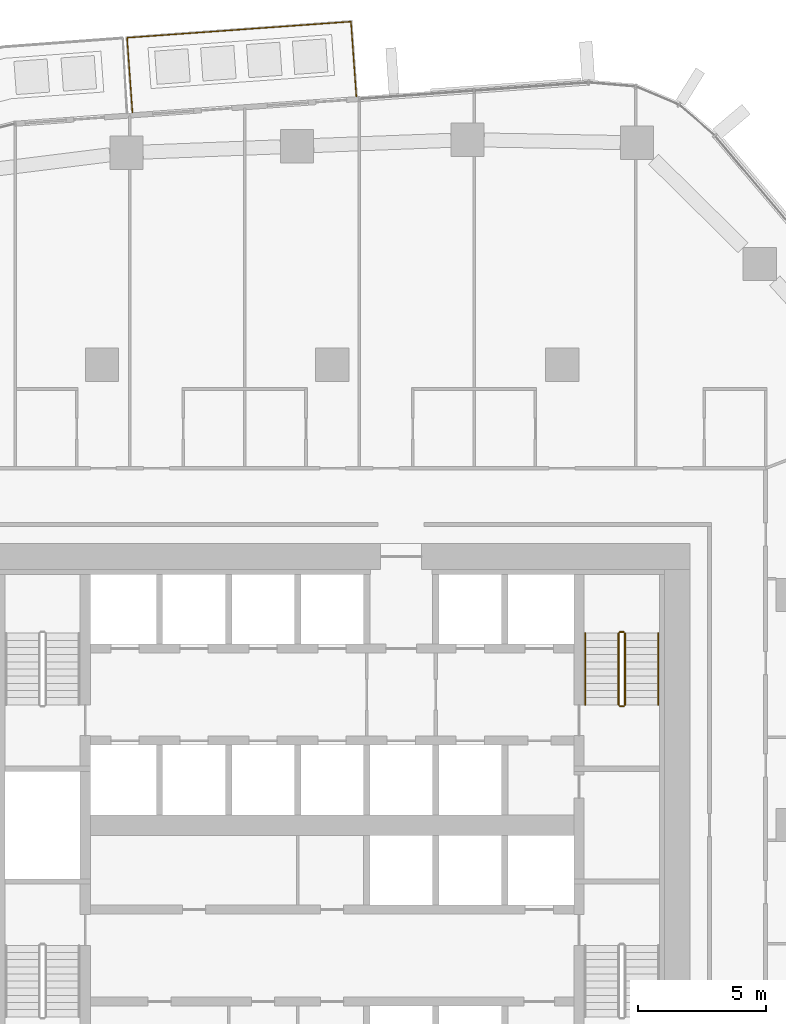
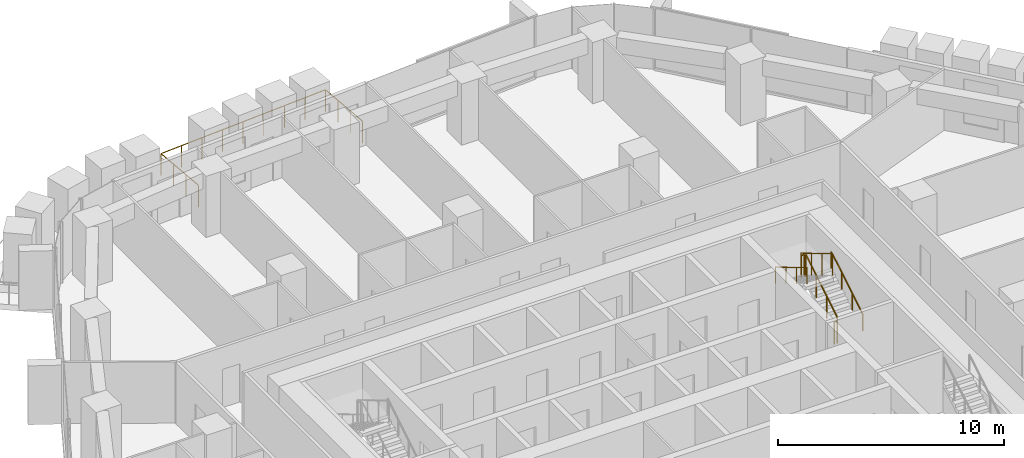
# One storey, part 23 of 24: 7 railings.
"""IFC4 building model written with IfcOpenShell, lengths in metres."""

from ifc_helpers import new_model, si_unit, direction, frame, origin, origin_2d, place, context, subcontext, project, spatial, circle, extrude, material, type_object, element, save


model = new_model("IFC4")

# Units and contexts
model_context = context("Model", 3, precision=1e-05, world=origin(), true_north=direction((0.0, 1.0)))
body_context = subcontext(model_context, "Body", "Model", "MODEL_VIEW")
ifc_project = project(units=[si_unit("LENGTHUNIT", "METRE"), si_unit("AREAUNIT", "SQUARE_METRE"), si_unit("VOLUMEUNIT", "CUBIC_METRE"), si_unit("PLANEANGLEUNIT", "RADIAN"), si_unit("MASSUNIT", "GRAM", prefix="KILO")], contexts=[model_context])

# Site, building, storey
site_placement = place(None, origin())
site = spatial("IfcSite", under=ifc_project, at=site_placement, CompositionType="ELEMENT")
building_placement = place(site_placement, origin())
building = spatial("IfcBuilding", under=site, at=building_placement, Name="Dongbaek Canopy Tower", CompositionType="ELEMENT")
storey_placement = place(building_placement, frame((0.0, 0.0, 110.0)))
storey = spatial("IfcBuildingStorey", under=building, at=storey_placement, Name="L23", CompositionType="ELEMENT", Elevation=110.0)

# Railings
ifc_material_1 = material(Name="Stainless steel", Category="steel")
railing_type_1 = type_object("IfcRailingType", Name="Balcony balustrade 1200", PredefinedType="BALUSTRADE", material=ifc_material_1)
railing_1_placement = place(storey_placement, frame((0.946044921875, 28.480712890625, 0.0)))
element("IfcRailing", 1, at=railing_1_placement, inside=storey, type_object=railing_type_1, Name="Balcony guard L23 2", PredefinedType="BALUSTRADE", context=body_context, shape_type="SweptSolid", body=[
    extrude(circle(Radius=0.02392578125, at=origin_2d()), frame((0.0, 0.0, 1.17578125), z_axis=(-0.071748667898, 0.997422743201, 0.0), x_axis=(-0.997422743201, -0.071748667898, 0.0)), (0.0, 0.0, 1.0), 2.93994140625),
    extrude(circle(Radius=0.02392578125, at=origin_2d()), frame((-0.2109375, 2.932373046875, 1.17578125), z_axis=(-0.997424550717, -0.071723536073, 0.0), x_axis=(0.071723536073, -0.997424550717, 0.0)), (0.0, 0.0, 1.0), 8.775390625),
    extrude(circle(Radius=0.02392578125, at=origin_2d()), frame((-8.963623046875, 2.302978515625, 1.17578125), z_axis=(0.071742725561, -0.99742317064, 0.0), x_axis=(0.99742317064, 0.071742725561, 0.0)), (0.0, 0.0, 1.0), 2.940185546875),
    extrude(circle(Radius=0.02099609375, at=origin_2d()), origin(), (0.0, 0.0, 1.0), 1.15185546875),
    extrude(circle(Radius=0.02099609375, at=origin_2d()), frame((-0.0703125, 0.9775390625, 0.0)), (0.0, 0.0, 1.0), 1.15185546875),
    extrude(circle(Radius=0.02099609375, at=origin_2d()), frame((-0.140625, 1.954833984375, 0.0)), (0.0, 0.0, 1.0), 1.15185546875),
    extrude(circle(Radius=0.02099609375, at=origin_2d()), frame((-0.2109375, 2.932373046875, 0.0)), (0.0, 0.0, 1.0), 1.15185546875),
    extrude(circle(Radius=0.02099609375, at=origin_2d()), frame((-1.304931640625, 2.853759765625, 0.0)), (0.0, 0.0, 1.0), 1.15185546875),
    extrude(circle(Radius=0.02099609375, at=origin_2d()), frame((-2.399169921875, 2.77490234375, 0.0)), (0.0, 0.0, 1.0), 1.15185546875),
    extrude(circle(Radius=0.02099609375, at=origin_2d()), frame((-3.4931640625, 2.6962890625, 0.0)), (0.0, 0.0, 1.0), 1.15185546875),
    extrude(circle(Radius=0.02099609375, at=origin_2d()), frame((-4.58740234375, 2.61767578125, 0.0)), (0.0, 0.0, 1.0), 1.15185546875),
    extrude(circle(Radius=0.02099609375, at=origin_2d()), frame((-5.681396484375, 2.5390625, 0.0)), (0.0, 0.0, 1.0), 1.15185546875),
    extrude(circle(Radius=0.02099609375, at=origin_2d()), frame((-6.775390625, 2.46044921875, 0.0)), (0.0, 0.0, 1.0), 1.15185546875),
    extrude(circle(Radius=0.02099609375, at=origin_2d()), frame((-7.86962890625, 2.381591796875, 0.0)), (0.0, 0.0, 1.0), 1.15185546875),
    extrude(circle(Radius=0.02099609375, at=origin_2d()), frame((-8.963623046875, 2.302978515625, 0.0)), (0.0, 0.0, 1.0), 1.15185546875),
    extrude(circle(Radius=0.02099609375, at=origin_2d()), frame((-8.893310546875, 1.325439453125, 0.0)), (0.0, 0.0, 1.0), 1.15185546875),
    extrude(circle(Radius=0.02099609375, at=origin_2d()), frame((-8.822998046875, 0.347900390625, 0.0)), (0.0, 0.0, 1.0), 1.15185546875),
    extrude(circle(Radius=0.02099609375, at=origin_2d()), frame((-8.752685546875, -0.629638671875, 0.0)), (0.0, 0.0, 1.0), 1.15185546875),
])
ifc_material_2 = material(Name="Stainless steel tube and balusters", Category="steel")
railing_type_2 = type_object("IfcRailingType", Name="Stair guard 1200", PredefinedType="GUARDRAIL", material=ifc_material_2)
railing_2_placement = place(storey_placement, frame((11.449951171875, 4.699951171875, 0.168212890625)))
element("IfcRailing", 2, at=railing_2_placement, inside=storey, type_object=railing_type_2, Name="L23 ST-A stair guard 1", PredefinedType="GUARDRAIL", context=body_context, shape_type="SweptSolid", body=[
    extrude(circle(Radius=0.02392578125, at=origin_2d()), frame((0.0, 0.0, 1.17578125), z_axis=(0.0, 0.857242210791, 0.514913383045), x_axis=(-1.0, 0.0, 0.0)), (0.0, 0.0, 1.0), 3.266357421875),
    extrude(circle(Radius=0.02099609375, at=origin_2d()), origin(), (0.0, 0.0, 1.0), 1.15185546875),
    extrude(circle(Radius=0.02099609375, at=origin_2d()), frame((0.0, 0.933349609375, 0.560546875)), (0.0, 0.0, 1.0), 1.15185546875),
    extrude(circle(Radius=0.02099609375, at=origin_2d()), frame((0.0, 1.86669921875, 1.121337890625)), (0.0, 0.0, 1.0), 1.15185546875),
    extrude(circle(Radius=0.02099609375, at=origin_2d()), frame((0.0, 2.800048828125, 1.681884765625)), (0.0, 0.0, 1.0), 1.15185546875),
])
railing_3_placement = place(storey_placement, frame((11.39990234375, 7.550048828125, 1.85009765625)))
element("IfcRailing", 3, at=railing_3_placement, inside=storey, type_object=railing_type_2, Name="L23 ST-A stair guard 2", PredefinedType="GUARDRAIL", context=body_context, shape_type="SweptSolid", body=[
    extrude(circle(Radius=0.02392578125, at=origin_2d()), frame((0.0, 0.0, 1.17578125), z_axis=(-1.0, 0.0, 0.0), x_axis=(0.0, -1.0, 0.0)), (0.0, 0.0, 1.0), 0.14990234375),
    extrude(circle(Radius=0.02099609375, at=origin_2d()), origin(), (0.0, 0.0, 1.0), 1.15185546875),
    extrude(circle(Radius=0.02099609375, at=origin_2d()), frame((-0.14990234375, 0.0, 0.0)), (0.0, 0.0, 1.0), 1.15185546875),
])
railing_4_placement = place(storey_placement, frame((11.199951171875, 7.5, 2.01806640625)))
element("IfcRailing", 4, at=railing_4_placement, inside=storey, type_object=railing_type_2, Name="L23 ST-A stair guard 3", PredefinedType="GUARDRAIL", context=body_context, shape_type="SweptSolid", body=[
    extrude(circle(Radius=0.02392578125, at=origin_2d()), frame((0.0, 0.0, 1.17578125), z_axis=(0.0, -0.857242210791, 0.514913383045), x_axis=(1.0, 0.0, 0.0)), (0.0, 0.0, 1.0), 3.266357421875),
    extrude(circle(Radius=0.02099609375, at=origin_2d()), origin(), (0.0, 0.0, 1.0), 1.15185546875),
    extrude(circle(Radius=0.02099609375, at=origin_2d()), frame((0.0, -0.933349609375, 0.560546875)), (0.0, 0.0, 1.0), 1.15185546875),
    extrude(circle(Radius=0.02099609375, at=origin_2d()), frame((0.0, -1.86669921875, 1.121337890625)), (0.0, 0.0, 1.0), 1.15185546875),
    extrude(circle(Radius=0.02099609375, at=origin_2d()), frame((0.0, -2.800048828125, 1.681884765625)), (0.0, 0.0, 1.0), 1.15185546875),
])
railing_5_placement = place(storey_placement, frame((11.39990234375, 4.64990234375, 0.0)))
element("IfcRailing", 5, at=railing_5_placement, inside=storey, type_object=railing_type_2, Name="L23 ST-A stair guard 4", PredefinedType="GUARDRAIL", context=body_context, shape_type="SweptSolid", body=[
    extrude(circle(Radius=0.02392578125, at=origin_2d()), frame((0.0, 0.0, 1.17578125), z_axis=(-1.0, 0.0, 0.0), x_axis=(0.0, -1.0, 0.0)), (0.0, 0.0, 1.0), 0.14990234375),
    extrude(circle(Radius=0.02099609375, at=origin_2d()), origin(), (0.0, 0.0, 1.0), 1.15185546875),
    extrude(circle(Radius=0.02099609375, at=origin_2d()), frame((-0.14990234375, 0.0, 0.0)), (0.0, 0.0, 1.0), 1.15185546875),
])
ifc_material_3 = material(Name="Stainless steel tube", Category="steel")
railing_type_3 = type_object("IfcRailingType", Name="Stair handrail 900", PredefinedType="HANDRAIL", material=ifc_material_3)
railing_6_placement = place(storey_placement, frame((12.75, 4.699951171875, 0.168212890625)))
element("IfcRailing", 6, at=railing_6_placement, inside=storey, type_object=railing_type_3, Name="L23 ST-A stair handrail 1", PredefinedType="HANDRAIL", context=body_context, shape_type="SweptSolid", body=[
    extrude(circle(Radius=0.02392578125, at=origin_2d()), frame((0.0, 0.0, 0.8759765625), z_axis=(0.0, 0.857242210791, 0.514913383045), x_axis=(-1.0, 0.0, 0.0)), (0.0, 0.0, 1.0), 3.266357421875),
    extrude(circle(Radius=0.02099609375, at=origin_2d()), origin(), (0.0, 0.0, 1.0), 0.851806640625),
    extrude(circle(Radius=0.02099609375, at=origin_2d()), frame((0.0, 0.933349609375, 0.560546875)), (0.0, 0.0, 1.0), 0.851806640625),
    extrude(circle(Radius=0.02099609375, at=origin_2d()), frame((0.0, 1.86669921875, 1.121337890625)), (0.0, 0.0, 1.0), 0.851806640625),
    extrude(circle(Radius=0.02099609375, at=origin_2d()), frame((0.0, 2.800048828125, 1.681884765625)), (0.0, 0.0, 1.0), 0.851806640625),
])
railing_7_placement = place(storey_placement, frame((9.89990234375, 7.5, 2.01806640625)))
element("IfcRailing", 7, at=railing_7_placement, inside=storey, type_object=railing_type_3, Name="L23 ST-A stair handrail 2", PredefinedType="HANDRAIL", context=body_context, shape_type="SweptSolid", body=[
    extrude(circle(Radius=0.02392578125, at=origin_2d()), frame((0.0, 0.0, 0.8759765625), z_axis=(0.0, -0.857242210791, 0.514913383045), x_axis=(1.0, 0.0, 0.0)), (0.0, 0.0, 1.0), 3.266357421875),
    extrude(circle(Radius=0.02099609375, at=origin_2d()), origin(), (0.0, 0.0, 1.0), 0.851806640625),
    extrude(circle(Radius=0.02099609375, at=origin_2d()), frame((0.0, -0.933349609375, 0.560546875)), (0.0, 0.0, 1.0), 0.851806640625),
    extrude(circle(Radius=0.02099609375, at=origin_2d()), frame((0.0, -1.86669921875, 1.121337890625)), (0.0, 0.0, 1.0), 0.851806640625),
    extrude(circle(Radius=0.02099609375, at=origin_2d()), frame((0.0, -2.800048828125, 1.681884765625)), (0.0, 0.0, 1.0), 0.851806640625),
])

save(model, "model.ifc")
